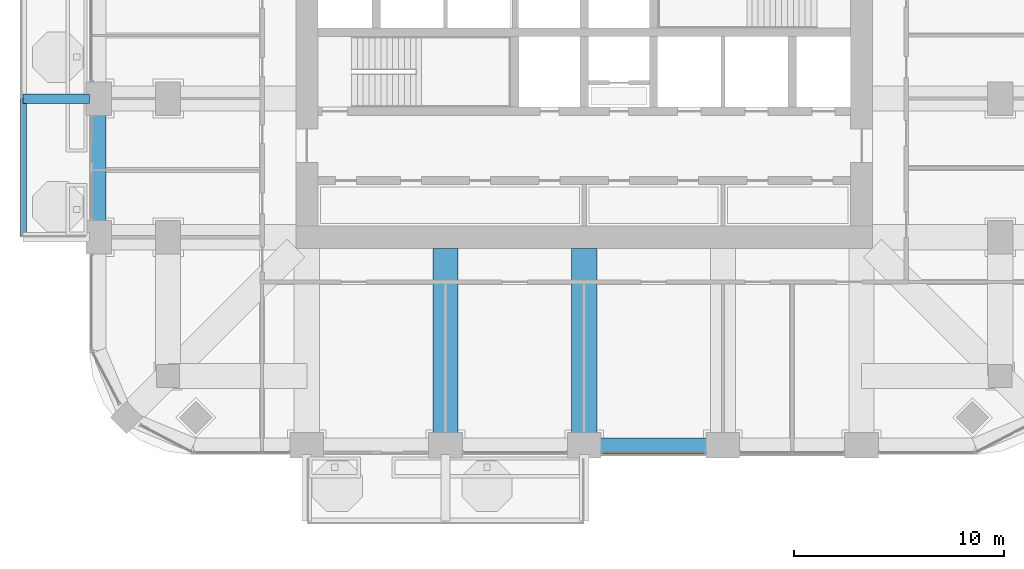
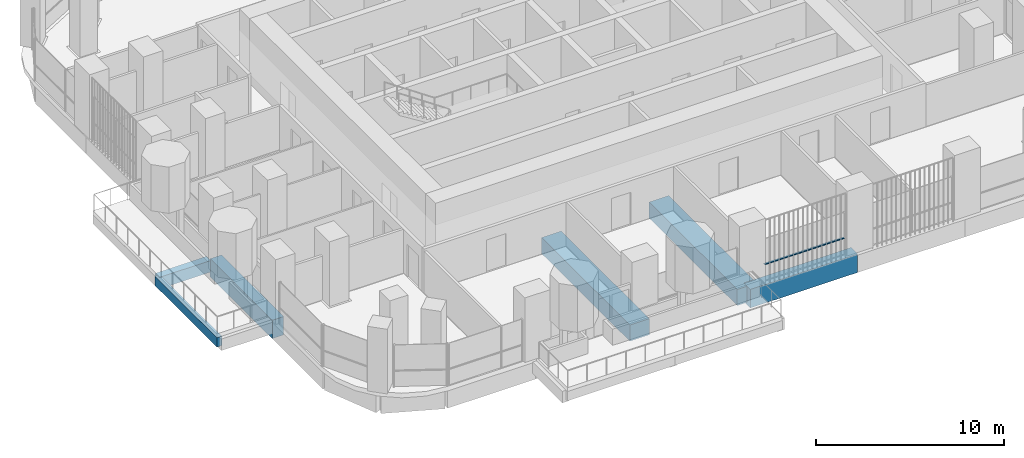
# One storey, part 3 of 20: 6 beams, 1 member, 1 element without a shape of its own.
"""IFC4 building model written with IfcOpenShell, lengths in metres."""

import ifcopenshell
import ifcopenshell.guid

model = None  # the IFC model being written
_history = None  # IfcOwnerHistory: only IFC2X3 demands one
_inside = {}  # id of a spatial element -> (the spatial element, [elements in it])
_under = {}  # id of a project, library or spatial element -> (it, [spatial elements below it])
_declared = {}  # id of a project -> (the project, [libraries it declares])
_typed = {}  # id of a type object -> (the type object, [elements of that type])
_made_of = {}  # id of a material, layer set ... -> (it, [elements and type objects made of it])


def new_model(schema):
    """Start an empty IFC model of exactly this schema.

    Asked for "IFC4X3", IfcOpenShell would pick the latest addendum, in which some entities
    have other attributes; the version numbers below select the first issue.
    IFC2X3 requires an IfcOwnerHistory on every rooted entity: one is made here for all.
    """
    global model, _history
    if schema == "IFC4X3":
        model = ifcopenshell.file(schema_version=(4, 3, 0, 0))
    else:
        model = ifcopenshell.file(schema=schema)
    _inside.clear()
    _under.clear()
    _declared.clear()
    _typed.clear()
    _made_of.clear()
    _history = None
    if model.schema == "IFC2X3":
        org = make("IfcOrganization", Name="unknown")
        user = make(
            "IfcPersonAndOrganization",
            ThePerson=make("IfcPerson", FamilyName="unknown"),
            TheOrganization=org,
        )
        app = make(
            "IfcApplication",
            ApplicationDeveloper=org,
            Version="unknown",
            ApplicationFullName="unknown",
            ApplicationIdentifier="unknown",
        )
        _history = make(
            "IfcOwnerHistory",
            OwningUser=user,
            OwningApplication=app,
            ChangeAction="ADDED",
            CreationDate=0,
        )
    return model


def make(cls, **values):
    """One entity of the class cls with the attributes given. An attribute that is None is left unset."""
    return model.create_entity(
        cls, **{name: value for name, value in values.items() if value is not None}
    )


def rooted(cls, **values):
    """An entity with a GlobalId (a new one), such as an element, a storey or a relation."""
    return make(cls, GlobalId=ifcopenshell.guid.new(), OwnerHistory=_history, **values)


def si_unit(unit_type, name, prefix=None):
    """IfcSIUnit, for example si_unit("LENGTHUNIT", "METRE", prefix="MILLI")."""
    return make("IfcSIUnit", UnitType=unit_type, Prefix=prefix, Name=name)


def assignment(units):
    """IfcUnitAssignment: the units of a project."""
    return None if units is None else make("IfcUnitAssignment", Units=units)


def point(xyz):
    """IfcCartesianPoint."""
    return None if xyz is None else make("IfcCartesianPoint", Coordinates=xyz)


def direction(xyz):
    """IfcDirection."""
    return None if xyz is None else make("IfcDirection", DirectionRatios=xyz)


def frame(location, z_axis=None, x_axis=None):
    """IfcAxis2Placement3D, a coordinate frame: its origin and axes. An axis left out is left unset."""
    return make(
        "IfcAxis2Placement3D",
        Location=point(location),
        Axis=direction(z_axis),
        RefDirection=direction(x_axis),
    )


def frame_2d(location, x_axis=None):
    """IfcAxis2Placement2D, a coordinate frame in the plane: its origin and x axis."""
    return make(
        "IfcAxis2Placement2D", Location=point(location), RefDirection=direction(x_axis)
    )


def origin():
    """The frame at (0, 0, 0) with its axes left unset."""
    return frame((0.0, 0.0, 0.0))


def origin_2d():
    """The frame at (0, 0) in the plane with its x axis left unset."""
    return frame_2d((0.0, 0.0))


def place(relative_to, where):
    """IfcLocalPlacement: puts the frame where relative to a parent placement (None: the world)."""
    return make(
        "IfcLocalPlacement", PlacementRelTo=relative_to, RelativePlacement=where
    )


def context(
    kind, dimensions, precision=None, world=None, true_north=None, identifier=None
):
    """IfcGeometricRepresentationContext, for example the 3D "Model" context."""
    return make(
        "IfcGeometricRepresentationContext",
        ContextIdentifier=identifier,
        ContextType=kind,
        CoordinateSpaceDimension=dimensions,
        Precision=precision,
        WorldCoordinateSystem=world,
        TrueNorth=true_north,
    )


def subcontext(parent, identifier, kind, view, scale=None):
    """IfcGeometricRepresentationSubContext, for example "Body" below "Model"."""
    return make(
        "IfcGeometricRepresentationSubContext",
        ContextIdentifier=identifier,
        ContextType=kind,
        ParentContext=parent,
        TargetScale=scale,
        TargetView=view,
    )


def project(units=None, contexts=None):
    """IfcProject with its units and contexts."""
    return rooted(
        "IfcProject",
        Name="project",
        RepresentationContexts=contexts,
        UnitsInContext=assignment(units),
    )


def spatial(cls, under=None, at=None, **own):
    """A site, building, storey or space (cls), placed at a placement, below another one or the project."""
    s = rooted(cls, ObjectPlacement=at, **own)
    if under is not None:
        _under.setdefault(under.id(), (under, []))[1].append(s)
    return s


def profile(cls, at=None, kind="AREA", **sizes):
    """A parametric profile (cls). Its sizes go by their IFC names, for example OverallWidth=200.0."""
    return make(cls, ProfileType=kind, Position=at, **sizes)


def rectangle(**sizes):
    """IfcRectangleProfileDef."""
    return profile("IfcRectangleProfileDef", **sizes)


def extrude(swept, where, along, depth):
    """IfcExtrudedAreaSolid: the profile swept, set in the frame where, extruded along a direction by depth."""
    return make(
        "IfcExtrudedAreaSolid",
        SweptArea=swept,
        Position=where,
        ExtrudedDirection=direction(along),
        Depth=depth,
    )


def shape(context_of_items, identifier, shape_type, items):
    """IfcShapeRepresentation: the items that make up one representation, for example the "Body"."""
    return make(
        "IfcShapeRepresentation",
        ContextOfItems=context_of_items,
        RepresentationIdentifier=identifier,
        RepresentationType=shape_type,
        Items=items,
    )


def material(Name=None, Category=None):
    """IfcMaterial."""
    return make("IfcMaterial", Name=Name, Category=Category)


def material_profile(
    of_material, cross_section, Name=None, Category=None, Priority=None
):
    """IfcMaterialProfile: a cross section and its material."""
    return make(
        "IfcMaterialProfile",
        Name=Name,
        Material=of_material,
        Profile=cross_section,
        Priority=Priority,
        Category=Category,
    )


def profile_set(profiles, Name=None, composite=None):
    """IfcMaterialProfileSet."""
    return make(
        "IfcMaterialProfileSet",
        Name=Name,
        MaterialProfiles=profiles,
        CompositeProfile=composite,
    )


def made_of(thing, what):
    """Note that an element or type object is made of a material, layer set ...; save() writes the relation."""
    if what is not None:
        _made_of.setdefault(what.id(), (what, []))[1].append(thing)
    return thing


def type_object(cls, material=None, **own):
    """A type object (cls), such as IfcWallType, which elements share."""
    return made_of(rooted(cls, **own), material)


def element(
    cls,
    number,
    at=None,
    inside=None,
    cuts=None,
    type_object=None,
    material=None,
    context=None,
    identifier="Body",
    shape_type=None,
    held_by="IfcProductDefinitionShape",
    body=None,
    shapes=None,
    **own,
):
    """One element of the class cls, such as IfcWall. Its Tag is "e" and its number.

    at: its placement. inside: the storey or other place that contains it. cuts: it is an
    opening in that element (IfcRelVoidsElement). A single representation is given by context,
    identifier, shape_type and body (its items); several are given by shapes. held_by: the class
    of the entity that holds the representations. save() writes the other relations.
    """
    e = rooted(cls, Tag="e%d" % number, ObjectPlacement=at, **own)
    if body is not None:
        shapes = [shape(context, identifier, shape_type, body)]
    if shapes is not None:
        e.Representation = make(held_by, Representations=shapes)
    if inside is not None:
        _inside.setdefault(inside.id(), (inside, []))[1].append(e)
    if cuts is not None:
        rooted(
            "IfcRelVoidsElement", RelatingBuildingElement=cuts, RelatedOpeningElement=e
        )
    if type_object is not None:
        _typed.setdefault(type_object.id(), (type_object, []))[1].append(e)
    return made_of(e, material)


def aggregate(whole, parts):
    """IfcRelAggregates: a whole, such as a stair, and the parts it consists of."""
    return rooted("IfcRelAggregates", RelatingObject=whole, RelatedObjects=parts)


def save(model, path):
    """Write the relations noted so far, then the file.

    IfcRelAggregates (storeys below a building ...), IfcRelContainedInSpatialStructure (elements
    in a storey), IfcRelDefinesByType, IfcRelAssociatesMaterial and IfcRelDeclares: one each for
    every whole, place, type object, material and project.
    """
    for whole, parts in _under.values():
        aggregate(whole, parts)
    for where, things in _inside.values():
        rooted(
            "IfcRelContainedInSpatialStructure",
            RelatedElements=things,
            RelatingStructure=where,
        )
    for kind, things in _typed.values():
        rooted("IfcRelDefinesByType", RelatedObjects=things, RelatingType=kind)
    for what, things in _made_of.values():
        rooted("IfcRelAssociatesMaterial", RelatedObjects=things, RelatingMaterial=what)
    for by, libraries in _declared.values():
        rooted("IfcRelDeclares", RelatingContext=by, RelatedDefinitions=libraries)
    model.write(path)


model = new_model("IFC4")

# Units and contexts
model_context = context("Model", 3, precision=1e-05, world=origin(), true_north=direction((0.0, 1.0)))
body_context = subcontext(model_context, "Body", "Model", "MODEL_VIEW")
ifc_project = project(units=[si_unit("LENGTHUNIT", "METRE"), si_unit("AREAUNIT", "SQUARE_METRE"), si_unit("VOLUMEUNIT", "CUBIC_METRE"), si_unit("PLANEANGLEUNIT", "RADIAN"), si_unit("MASSUNIT", "GRAM", prefix="KILO")], contexts=[model_context])

# Site, building, storey
site_placement = place(None, origin())
site = spatial("IfcSite", under=ifc_project, at=site_placement, CompositionType="ELEMENT")
building_placement = place(site_placement, origin())
building = spatial("IfcBuilding", under=site, at=building_placement, Name="Cobogo Forest Laboratory Tower", CompositionType="ELEMENT")
storey_placement = place(building_placement, frame((0.0, 0.0, 185.10009765625)))
storey = spatial("IfcBuildingStorey", under=building, at=storey_placement, Name="L42", CompositionType="ELEMENT", Elevation=185.10009765625)

# Beams
ifc_material_1 = material(Name="Concrete HA-40 (C40/50)", Category="concrete")
ifc_material_profile_1 = material_profile(ifc_material_1, rectangle(XDim=0.449951171875, YDim=0.75, at=origin_2d()), Name="RC 450x750")
ifc_profile_set_1 = profile_set([ifc_material_profile_1], Name="Concrete HA-40 (C40/50)")
beam_type_1 = type_object("IfcBeamType", Name="Balcony cantilever beam 450x750", PredefinedType="BEAM", material=ifc_profile_set_1)
beam_1_placement = place(storey_placement, frame((2.85009765625, 19.800048828125, -0.625), z_axis=(-1.0, 0.0, 0.0), x_axis=(0.0, -1.0, 0.0)))
element("IfcBeam", 1, at=beam_1_placement, inside=storey, type_object=beam_type_1, Name="CB1 BAL-W1-C2 L42", PredefinedType="BEAM", context=body_context, shape_type="SweptSolid", body=[
    extrude(rectangle(XDim=0.449951171875, YDim=0.75, at=origin_2d()), origin(), (0.0, 0.0, 1.0), 3.150146484375),
])
ifc_material_profile_2 = material_profile(ifc_material_1, rectangle(XDim=0.300048828125, YDim=0.60009765625, at=origin_2d()), Name="RC 300x600")
ifc_profile_set_2 = profile_set([ifc_material_profile_2], Name="Concrete HA-40 (C40/50)")
beam_type_2 = type_object("IfcBeamType", Name="Balcony edge beam 300x600", PredefinedType="BEAM", material=ifc_profile_set_2)
beam_2_placement = place(storey_placement, frame((-0.300048828125, 13.199951171875, -0.550048828125), z_axis=(0.0, 1.0, 0.0), x_axis=(-1.0, 0.0, 0.0)))
element("IfcBeam", 2, at=beam_2_placement, inside=storey, type_object=beam_type_2, Name="BB1 BAL-W1-T1 L42", PredefinedType="BEAM", context=body_context, shape_type="SweptSolid", body=[
    extrude(rectangle(XDim=0.300048828125, YDim=0.60009765625, at=origin_2d()), origin(), (0.0, 0.0, 1.0), 6.60009765625),
])
ifc_material_profile_3 = material_profile(ifc_material_1, rectangle(XDim=1.199951171875, YDim=1.050048828125, at=origin_2d()), Name="RC 1200x1050")
ifc_profile_set_3 = profile_set([ifc_material_profile_3], Name="Concrete HA-40 (C40/50)")
beam_type_3 = type_object("IfcBeamType", Name="Laboratory floor wide beam 1200x1050", PredefinedType="BEAM", material=ifc_profile_set_3)
for number, where, z_axis, x_axis, name in (
    (3, (19.800048828125, 12.675048828125, -0.8251953125), (0.0, -1.0, 0.0), (1.0, 0.0, 0.0), "RB1 R-4-S L42"),
    (4, (26.39990234375, 12.675048828125, -0.8251953125), (0.0, -1.0, 0.0), (1.0, 0.0, 0.0), "RB1 R-5-S L42"),
):
    element("IfcBeam", number, at=place(storey_placement, frame(where, z_axis=z_axis, x_axis=x_axis)), inside=storey, type_object=beam_type_3, Name=name, PredefinedType="BEAM", context=body_context, shape_type="SweptSolid", body=[
        extrude(rectangle(XDim=1.199951171875, YDim=1.050048828125, at=origin_2d()), origin(), (0.0, 0.0, 1.0), 9.375),
    ])
ifc_material_profile_4 = material_profile(ifc_material_1, rectangle(XDim=0.699951171875, YDim=1.199951171875, at=origin_2d()), Name="RC 700x1200")
ifc_profile_set_4 = profile_set([ifc_material_profile_4], Name="Concrete HA-40 (C40/50)")
beam_type_4 = type_object("IfcBeamType", Name="Perimeter edge beam 700x1200", PredefinedType="BEAM", material=ifc_profile_set_4)
for number, where, z_axis, x_axis, name in (
    (5, (26.39990234375, 3.300048828125, -0.900146484375), (1.0, 0.0, 0.0), (0.0, 1.0, 0.0), "EB1 E-S3 L42"),
    (6, (3.300048828125, 13.199951171875, -0.900146484375), (0.0, 1.0, 0.0), (-1.0, 0.0, 0.0), "EB1 E-W1 L42"),
):
    element("IfcBeam", number, at=place(storey_placement, frame(where, z_axis=z_axis, x_axis=x_axis)), inside=storey, type_object=beam_type_4, Name=name, PredefinedType="BEAM", context=body_context, shape_type="SweptSolid", body=[
        extrude(rectangle(XDim=0.699951171875, YDim=1.199951171875, at=origin_2d()), origin(), (0.0, 0.0, 1.0), 6.60009765625),
    ])

# Curtain wall, member
ifc_material_2 = material(Name="Aluminium curtain wall", Category="aluminium")
curtain_wall_type = type_object("IfcCurtainWallType", Name="CW-2 unitised curtain wall, solar control glazing, laboratory floors zones C and D", PredefinedType="USERDEFINED", material=ifc_material_2)
curtain_wall_placement = place(storey_placement, origin())
curtain_wall = element("IfcCurtainWall", 7, at=curtain_wall_placement, inside=storey, type_object=curtain_wall_type, Name="Curtain wall 04 L42", ObjectType="UNITISED CURTAIN WALL", PredefinedType="USERDEFINED")
ifc_material_3 = material(Name="Aluminium transom", Category="aluminium")
ifc_material_profile_5 = material_profile(ifc_material_3, rectangle(XDim=0.1201171875, YDim=0.06005859375, at=origin_2d()), Name="AL 60x120")
ifc_profile_set_5 = profile_set([ifc_material_profile_5], Name="Aluminium transom")
member_type = type_object("IfcMemberType", Name="TR-1 aluminium transom 60x120", PredefinedType="USERDEFINED", material=ifc_profile_set_5)
member_placement = place(storey_placement, frame((27.260009765625, 2.949951171875, 1.0498046875), z_axis=(1.0, 0.0, 0.0), x_axis=(0.0, 1.0, 0.0)))
member = element("IfcMember", 8, at=member_placement, type_object=member_type, Name="CW-2 transom 1.1", ObjectType="TRANSOM", PredefinedType="USERDEFINED", context=body_context, shape_type="SweptSolid", body=[
    extrude(rectangle(XDim=0.1201171875, YDim=0.06005859375, at=origin_2d()), origin(), (0.0, 0.0, 1.0), 4.8798828125),
])
aggregate(curtain_wall, [member])

save(model, "model.ifc")
